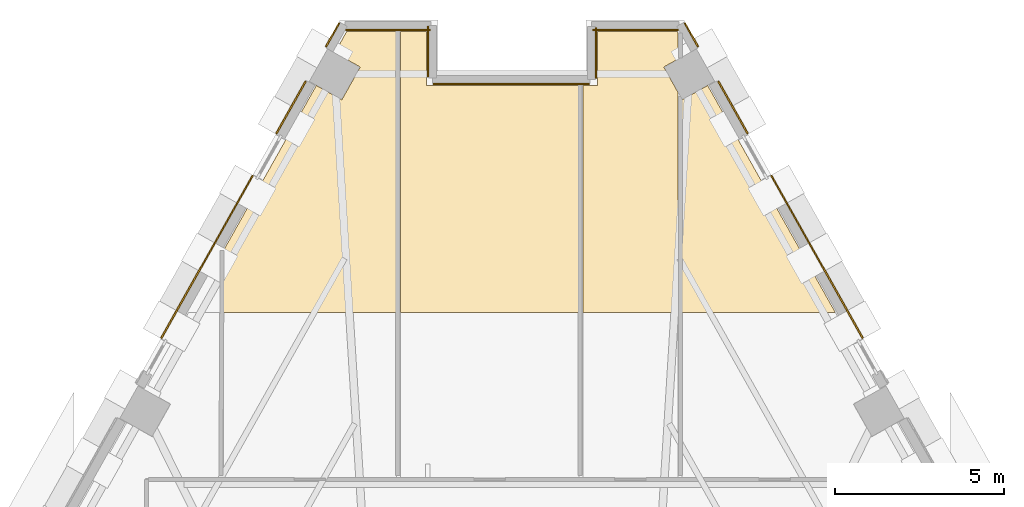
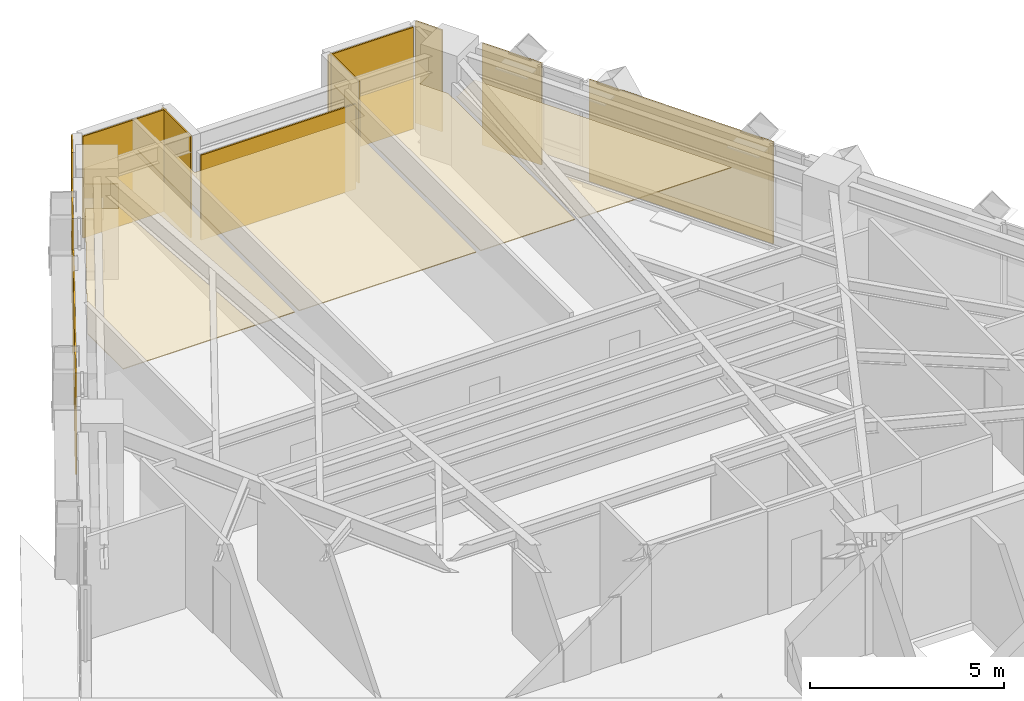
# One storey, part 13 of 13: 15 coverings.
"""IFC4 building model written with IfcOpenShell, lengths in metres."""

from ifc_helpers import new_model, si_unit, direction, frame, origin, place, context, subcontext, project, spatial, polyline, outline, extrude, material, layer, layer_set, type_object, element, save


model = new_model("IFC4")

# Units and contexts
model_context = context("Model", 3, precision=1e-05, world=origin(), true_north=direction((0.0, 1.0)))
body_context = subcontext(model_context, "Body", "Model", "MODEL_VIEW")
ifc_project = project(units=[si_unit("LENGTHUNIT", "METRE"), si_unit("AREAUNIT", "SQUARE_METRE"), si_unit("VOLUMEUNIT", "CUBIC_METRE"), si_unit("PLANEANGLEUNIT", "RADIAN"), si_unit("MASSUNIT", "GRAM", prefix="KILO")], contexts=[model_context])

# Site, building, storey
site_placement = place(None, origin())
site = spatial("IfcSite", under=ifc_project, at=site_placement, CompositionType="ELEMENT")
building_placement = place(site_placement, origin())
building = spatial("IfcBuilding", under=site, at=building_placement, Name="Quenlor Broadcast Tower", CompositionType="ELEMENT")
storey_placement = place(building_placement, frame((0.0, 0.0, 76.60009765625)))
storey = spatial("IfcBuildingStorey", under=building, at=storey_placement, Name="L20", CompositionType="ELEMENT", Elevation=76.60009765625)

# Coverings
ifc_material_1 = material(Name="Acoustic Mineral Fibre Board", Category="other")
ifc_layer_1 = layer(ifc_material_1, 0.02490234375)
ifc_layer_set_1 = layer_set([ifc_layer_1], Name="Acoustic Perforated Mineral Tile Ceiling 25")
covering_type_1 = type_object("IfcCoveringType", Name="Acoustic Perforated Mineral Tile Ceiling 25", PredefinedType="CEILING", material=ifc_layer_set_1)
covering_1_placement = place(storey_placement, frame((0.0, 0.0, 2.224853515625)))
element("IfcCovering", 1, at=covering_1_placement, inside=storey, type_object=covering_type_1, Name="L20 Acoustic Ceiling L20-31-2", PredefinedType="CEILING", context=body_context, shape_type="SweptSolid", body=[
    extrude(outline(polyline([(4.919921875, 20.166748046875), (4.50244140625, 19.931884765625), (4.919921875, 19.189453125), (4.919921875, 12.64990234375), (2.103759765625, 12.64990234375), (2.103759765625, 19.387939453125), (2.5400390625, 19.387939453125), (2.5400390625, 20.988037109375), (4.904296875, 20.988037109375), (4.919921875, 20.959716796875), (4.919921875, 20.166748046875)])), origin(), (0.0, 0.0, 1.0), 0.025146484375),
])
covering_2_placement = place(storey_placement, frame((0.0, 0.0, 2.224853515625)))
element("IfcCovering", 2, at=covering_2_placement, inside=storey, type_object=covering_type_1, Name="L20 Acoustic Ceiling L20-32-2", PredefinedType="CEILING", context=body_context, shape_type="SweptSolid", body=[
    extrude(outline(polyline([(-3.31005859375, 20.988037109375), (-2.5400390625, 20.988037109375), (-2.5400390625, 19.387939453125), (1.98388671875, 19.387939453125), (1.98388671875, 12.64990234375), (-3.31005859375, 12.64990234375), (-3.31005859375, 20.988037109375)])), origin(), (0.0, 0.0, 1.0), 0.025146484375),
])
covering_3_placement = place(storey_placement, frame((0.0, 0.0, 2.224853515625)))
element("IfcCovering", 3, at=covering_3_placement, inside=storey, type_object=covering_type_1, Name="L20 Acoustic Ceiling L20-33-2", PredefinedType="CEILING", context=body_context, shape_type="SweptSolid", body=[
    extrude(outline(polyline([(-5.805908203125, 19.384765625), (-5.049560546875, 18.959228515625), (-4.50244140625, 19.931884765625), (-5.2587890625, 20.357421875), (-4.904296875, 20.988037109375), (-3.429931640625, 20.988037109375), (-3.429931640625, 12.64990234375), (-8.56005859375, 12.64990234375), (-8.56005859375, 14.48876953125), (-5.805908203125, 19.384765625)])), origin(), (0.0, 0.0, 1.0), 0.025146484375),
])
covering_4_placement = place(storey_placement, frame((0.0, 0.0, 2.224853515625)))
element("IfcCovering", 4, at=covering_4_placement, inside=storey, type_object=covering_type_1, Name="L20 Acoustic Ceiling L20-34-2", PredefinedType="CEILING", context=body_context, shape_type="SweptSolid", body=[
    extrude(outline(polyline([(5.0400390625, 18.97607421875), (5.049560546875, 18.959228515625), (5.805908203125, 19.384765625), (9.59423828125, 12.64990234375), (5.0400390625, 12.64990234375), (5.0400390625, 18.97607421875)])), origin(), (0.0, 0.0, 1.0), 0.025146484375),
])
ifc_material_2 = material(Name="Architectural Terracotta Ceramic", Category="masonry")
ifc_layer_2 = layer(ifc_material_2, 0.044921875)
ifc_layer_set_2 = layer_set([ifc_layer_2], Name="Fluted Terracotta Rainscreen Cladding Panel")
covering_type_2 = type_object("IfcCoveringType", Name="Fluted Terracotta Rainscreen Cladding Panel", PredefinedType="CLADDING", material=ifc_layer_set_2)
covering_5_placement = place(storey_placement, frame((0.0, 0.0, 0.02001953125)))
element("IfcCovering", 5, at=covering_5_placement, inside=storey, type_object=covering_type_2, Name="L20 Terracotta Rainscreen Cladding L20-SHD-NES0", PredefinedType="CLADDING", context=body_context, shape_type="SweptSolid", body=[
    extrude(outline(polyline([(5.105224609375, 21.22607421875), (5.5, 20.524169921875), (5.539306640625, 20.546142578125), (5.144287109375, 21.248046875), (5.105224609375, 21.22607421875)])), origin(), (0.0, 0.0, 1.0), 3.2099609375),
])
covering_6_placement = place(storey_placement, frame((0.0, 0.0, 0.02001953125)))
element("IfcCovering", 6, at=covering_6_placement, inside=storey, type_object=covering_type_2, Name="L20 Terracotta Rainscreen Cladding L20-NEA-SP1", PredefinedType="CLADDING", context=body_context, shape_type="SweptSolid", body=[
    extrude(outline(polyline([(6.10107421875, 19.496826171875), (6.97509765625, 17.9423828125), (7.014404296875, 17.964599609375), (6.14013671875, 19.518798828125), (6.10107421875, 19.496826171875)])), origin(), (0.0, 0.0, 1.0), 3.2099609375),
])
covering_7_placement = place(storey_placement, frame((0.0, 0.0, 0.02001953125)))
element("IfcCovering", 7, at=covering_7_placement, inside=storey, type_object=covering_type_2, Name="L20 Terracotta Rainscreen Cladding L20-NEA-SP2", PredefinedType="CLADDING", context=body_context, shape_type="SweptSolid", body=[
    extrude(outline(polyline([(7.673583984375, 16.700927734375), (10.38818359375, 11.874755859375), (10.427490234375, 11.896728515625), (7.712890625, 16.722900390625), (7.673583984375, 16.700927734375)])), origin(), (0.0, 0.0, 1.0), 3.2099609375),
])
covering_8_placement = place(storey_placement, frame((0.0, 0.0, 0.02001953125)))
element("IfcCovering", 8, at=covering_8_placement, inside=storey, type_object=covering_type_2, Name="L20 Terracotta Rainscreen Cladding L20-SHD-NWS1", PredefinedType="CLADDING", context=body_context, shape_type="SweptSolid", body=[
    extrude(outline(polyline([(-5.5, 20.524169921875), (-5.105224609375, 21.22607421875), (-5.144287109375, 21.248046875), (-5.539306640625, 20.546142578125), (-5.5, 20.524169921875)])), origin(), (0.0, 0.0, 1.0), 3.2099609375),
])
covering_9_placement = place(storey_placement, frame((0.0, 0.0, 0.02001953125)))
element("IfcCovering", 9, at=covering_9_placement, inside=storey, type_object=covering_type_2, Name="L20 Terracotta Rainscreen Cladding L20-NWC-SP2", PredefinedType="CLADDING", context=body_context, shape_type="SweptSolid", body=[
    extrude(outline(polyline([(-10.38818359375, 11.874755859375), (-7.673583984375, 16.700927734375), (-7.712890625, 16.722900390625), (-10.427490234375, 11.896728515625), (-10.38818359375, 11.874755859375)])), origin(), (0.0, 0.0, 1.0), 3.2099609375),
])
covering_10_placement = place(storey_placement, frame((0.0, 0.0, 0.02001953125)))
element("IfcCovering", 10, at=covering_10_placement, inside=storey, type_object=covering_type_2, Name="L20 Terracotta Rainscreen Cladding L20-NWC-SP3", PredefinedType="CLADDING", context=body_context, shape_type="SweptSolid", body=[
    extrude(outline(polyline([(-6.97509765625, 17.9423828125), (-6.10107421875, 19.496826171875), (-6.14013671875, 19.518798828125), (-7.014404296875, 17.964599609375), (-6.97509765625, 17.9423828125)])), origin(), (0.0, 0.0, 1.0), 3.2099609375),
])
covering_11_placement = place(storey_placement, frame((0.0, 0.0, 0.02001953125)))
element("IfcCovering", 11, at=covering_11_placement, inside=storey, type_object=covering_type_2, Name="L20 Terracotta Rainscreen Cladding L20-CNR-06", PredefinedType="CLADDING", context=body_context, shape_type="SweptSolid", body=[
    extrude(outline(polyline([(4.929443359375, 21.055908203125), (2.389892578125, 21.055908203125), (2.389892578125, 21.010986328125), (4.929443359375, 21.010986328125), (4.929443359375, 21.055908203125)])), origin(), (0.0, 0.0, 1.0), 3.2099609375),
])
covering_12_placement = place(storey_placement, frame((0.0, 0.0, 0.02001953125)))
element("IfcCovering", 12, at=covering_12_placement, inside=storey, type_object=covering_type_2, Name="L20 Terracotta Rainscreen Cladding L20-CNR-07", PredefinedType="CLADDING", context=body_context, shape_type="SweptSolid", body=[
    extrude(outline(polyline([(2.471923828125, 21.097900390625), (2.471923828125, 19.597900390625), (2.51708984375, 19.597900390625), (2.51708984375, 21.097900390625), (2.471923828125, 21.097900390625)])), origin(), (0.0, 0.0, 1.0), 3.2099609375),
])
covering_13_placement = place(storey_placement, frame((0.0, 0.0, 0.02001953125)))
element("IfcCovering", 13, at=covering_13_placement, inside=storey, type_object=covering_type_2, Name="L20 Terracotta Rainscreen Cladding L20-CNR-08", PredefinedType="CLADDING", context=body_context, shape_type="SweptSolid", body=[
    extrude(outline(polyline([(2.2900390625, 19.4560546875), (-2.330078125, 19.4560546875), (-2.330078125, 19.410888671875), (2.2900390625, 19.410888671875), (2.2900390625, 19.4560546875)])), origin(), (0.0, 0.0, 1.0), 2.681640625),
])
covering_14_placement = place(storey_placement, frame((0.0, 0.0, 0.02001953125)))
element("IfcCovering", 14, at=covering_14_placement, inside=storey, type_object=covering_type_2, Name="L20 Terracotta Rainscreen Cladding L20-CNR-09", PredefinedType="CLADDING", context=body_context, shape_type="SweptSolid", body=[
    extrude(outline(polyline([(-2.471923828125, 19.637939453125), (-2.471923828125, 21.137939453125), (-2.51708984375, 21.137939453125), (-2.51708984375, 19.637939453125), (-2.471923828125, 19.637939453125)])), origin(), (0.0, 0.0, 1.0), 3.2099609375),
])
covering_15_placement = place(storey_placement, frame((0.0, 0.0, 0.02001953125)))
element("IfcCovering", 15, at=covering_15_placement, inside=storey, type_object=covering_type_2, Name="L20 Terracotta Rainscreen Cladding L20-CNR-10", PredefinedType="CLADDING", context=body_context, shape_type="SweptSolid", body=[
    extrude(outline(polyline([(-2.429931640625, 21.055908203125), (-4.929443359375, 21.055908203125), (-4.929443359375, 21.010986328125), (-2.429931640625, 21.010986328125), (-2.429931640625, 21.055908203125)])), origin(), (0.0, 0.0, 1.0), 3.2099609375),
])

save(model, "model.ifc")
